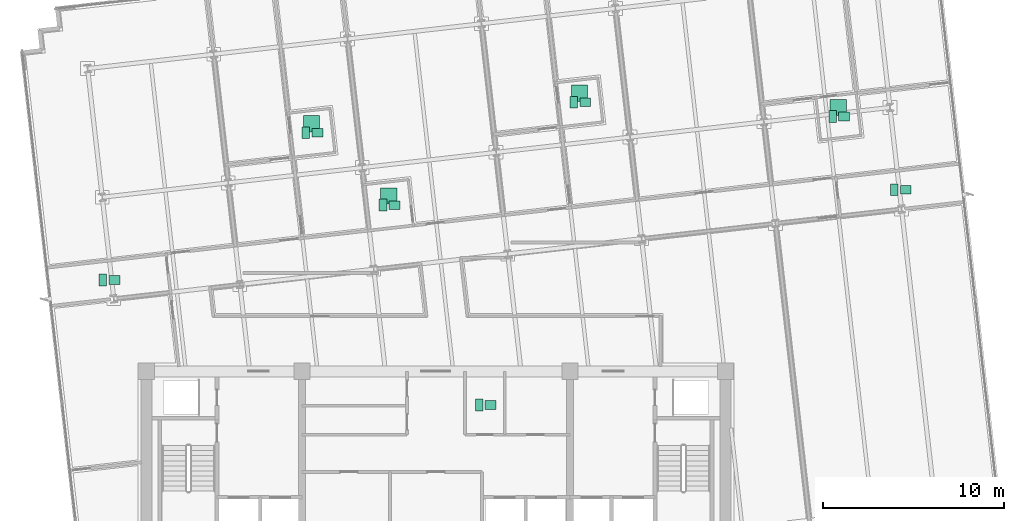
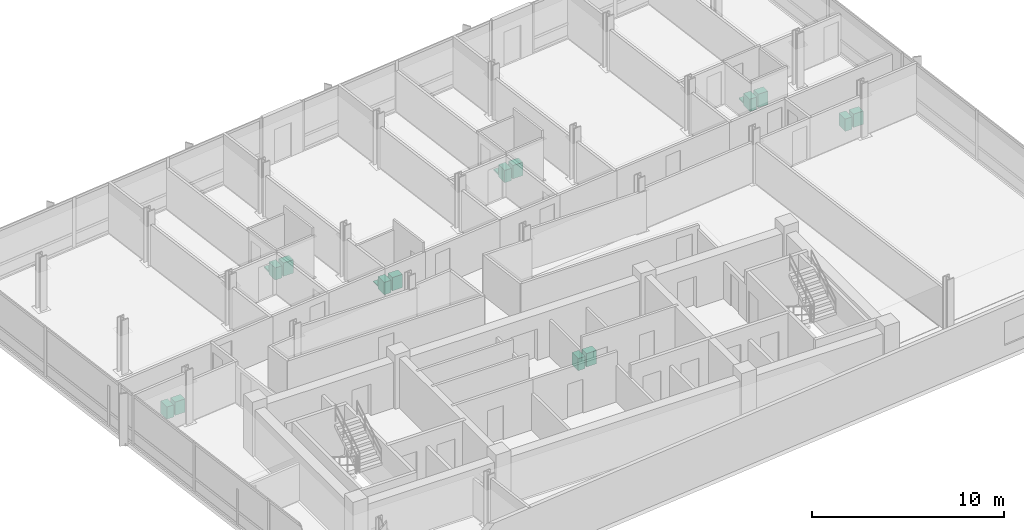
# One storey, part 16 of 16: 18 sanitary terminals.
"""IFC4 building model written with IfcOpenShell, lengths in metres."""

from ifc_helpers import new_model, si_unit, direction, frame, origin, origin_2d, place, context, subcontext, project, spatial, rectangle, extrude, material, type_object, element, save


model = new_model("IFC4")

# Units and contexts
model_context = context("Model", 3, precision=1e-05, world=origin(), true_north=direction((0.0, 1.0)))
body_context = subcontext(model_context, "Body", "Model", "MODEL_VIEW")
ifc_project = project(units=[si_unit("LENGTHUNIT", "METRE"), si_unit("AREAUNIT", "SQUARE_METRE"), si_unit("VOLUMEUNIT", "CUBIC_METRE"), si_unit("PLANEANGLEUNIT", "RADIAN"), si_unit("MASSUNIT", "GRAM", prefix="KILO")], contexts=[model_context])

# Site, building, storey
site_placement = place(None, origin())
site = spatial("IfcSite", under=ifc_project, at=site_placement, CompositionType="ELEMENT")
building_placement = place(site_placement, origin())
building = spatial("IfcBuilding", under=site, at=building_placement, Name="Solmavex Isthmus Hotel", CompositionType="ELEMENT")
storey_placement = place(building_placement, frame((0.0, 0.0, 212.39990234375)))
storey = spatial("IfcBuildingStorey", under=building, at=storey_placement, Name="L57", CompositionType="ELEMENT", Elevation=212.39990234375)

# Sanitary terminals
ifc_material = material(Name="Vitreous china ceramic", Category="ceramic")
sanitary_terminal_type_1 = type_object("IfcSanitaryTerminalType", Name="SAN-BASIN", PredefinedType="WASHHANDBASIN", material=ifc_material)
for number, where, z_axis, x_axis, name in (
    (1, (3.02001953125, -4.360107421875, 0.0), (0.0, 0.0, 1.0), (1.0, 0.0, 0.0), "Vanity Washbasin L57-278"),
    (2, (-6.552001953125, 10.676025390625, 0.0), (0.0, 0.0, 1.0), (1.0, 0.0, 0.0), "Vanity Washbasin L57-279"),
    (3, (-2.28662109375, 6.685302734375, 0.0), (0.0, 0.0, 1.0), (1.0, 0.0, 0.0), "Vanity Washbasin L57-280"),
    (4, (8.244140625, 12.36181640625, 0.0), (0.0, 0.0, 1.0), (1.0, 0.0, 0.0), "Vanity Washbasin L57-281"),
    (5, (22.551513671875, 11.576416015625, 0.0), (0.0, 0.0, 1.0), (1.0, 0.0, 0.0), "Vanity Washbasin L57-282"),
    (6, (-17.761474609375, 2.546875, 0.0), (0.0, 0.0, 1.0), (1.0, 0.0, 0.0), "Vanity Washbasin L57-283"),
    (7, (25.956787109375, 7.52783203125, 0.0), (0.0, 0.0, 1.0), (1.0, 0.0, 0.0), "Vanity Washbasin L57-284"),
):
    element("IfcSanitaryTerminal", number, at=place(storey_placement, frame(where, z_axis=z_axis, x_axis=x_axis)), inside=storey, type_object=sanitary_terminal_type_1, Name=name, PredefinedType="WASHHANDBASIN", context=body_context, shape_type="SweptSolid", body=[
        extrude(rectangle(XDim=0.60009765625, YDim=0.47998046875, at=origin_2d()), origin(), (0.0, 0.0, 1.0), 0.85009765625),
    ])
sanitary_terminal_type_2 = type_object("IfcSanitaryTerminalType", Name="SAN-SHOWER", PredefinedType="SHOWER", material=ifc_material)
for number, where, z_axis, x_axis, name in (
    (8, (-6.8720703125, 11.176025390625, 0.0), (0.0, 0.0, 1.0), (1.0, 0.0, 0.0), "Walk-In Shower L57-279"),
    (9, (-2.6064453125, 7.185302734375, 0.0), (0.0, 0.0, 1.0), (1.0, 0.0, 0.0), "Walk-In Shower L57-280"),
    (10, (7.924072265625, 12.86181640625, 0.0), (0.0, 0.0, 1.0), (1.0, 0.0, 0.0), "Walk-In Shower L57-281"),
    (11, (22.2314453125, 12.076416015625, 0.0), (0.0, 0.0, 1.0), (1.0, 0.0, 0.0), "Walk-In Shower L57-282"),
):
    element("IfcSanitaryTerminal", number, at=place(storey_placement, frame(where, z_axis=z_axis, x_axis=x_axis)), inside=storey, type_object=sanitary_terminal_type_2, Name=name, PredefinedType="SHOWER", context=body_context, shape_type="SweptSolid", body=[
        extrude(rectangle(XDim=0.89990234375, YDim=0.89990234375, at=origin_2d()), origin(), (0.0, 0.0, 1.0), 0.080078125),
    ])
sanitary_terminal_type_3 = type_object("IfcSanitaryTerminalType", Name="SAN-WC-SUITE", PredefinedType="TOILETPAN", material=ifc_material)
for number, where, z_axis, x_axis, name in (
    (12, (2.3798828125, -4.360107421875, 0.0), (0.0, 0.0, 1.0), (1.0, 0.0, 0.0), "Water Closet L57-278"),
    (13, (-7.192138671875, 10.676025390625, 0.0), (0.0, 0.0, 1.0), (1.0, 0.0, 0.0), "Water Closet L57-279"),
    (14, (-2.926513671875, 6.685302734375, 0.0), (0.0, 0.0, 1.0), (1.0, 0.0, 0.0), "Water Closet L57-280"),
    (15, (7.60400390625, 12.36181640625, 0.0), (0.0, 0.0, 1.0), (1.0, 0.0, 0.0), "Water Closet L57-281"),
    (16, (21.91162109375, 11.576416015625, 0.0), (0.0, 0.0, 1.0), (1.0, 0.0, 0.0), "Water Closet L57-282"),
    (17, (-18.401611328125, 2.546875, 0.0), (0.0, 0.0, 1.0), (1.0, 0.0, 0.0), "Water Closet L57-283"),
    (18, (25.316650390625, 7.52783203125, 0.0), (0.0, 0.0, 1.0), (1.0, 0.0, 0.0), "Water Closet L57-284"),
):
    element("IfcSanitaryTerminal", number, at=place(storey_placement, frame(where, z_axis=z_axis, x_axis=x_axis)), inside=storey, type_object=sanitary_terminal_type_3, Name=name, PredefinedType="TOILETPAN", context=body_context, shape_type="SweptSolid", body=[
        extrude(rectangle(XDim=0.419921875, YDim=0.64990234375, at=origin_2d()), origin(), (0.0, 0.0, 1.0), 0.780029296875),
    ])

save(model, "model.ifc")
